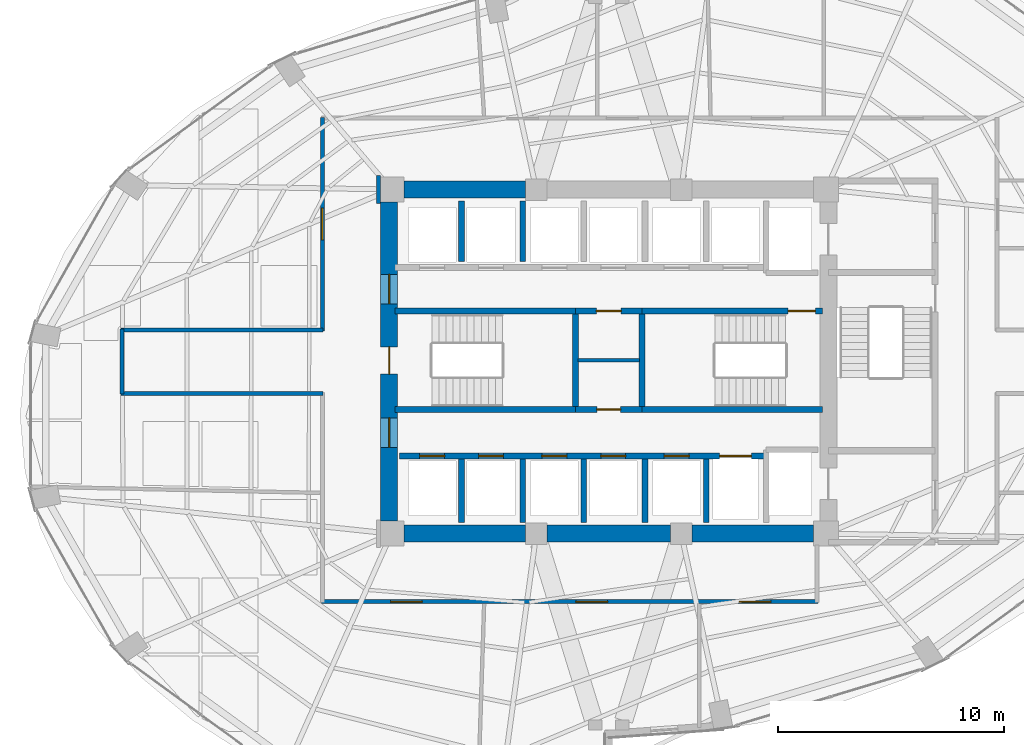
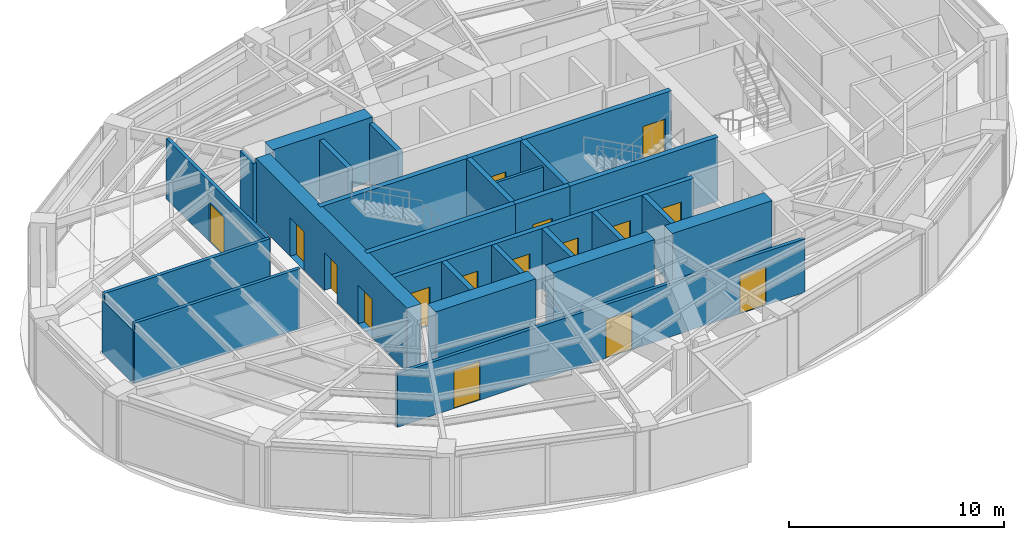
# One storey, part 19 of 23: 28 walls, 16 doors, 16 openings.
"""IFC4 building model written with IfcOpenShell, lengths in metres."""

from ifc_helpers import new_model, si_unit, direction, frame, frame_2d, origin, place, context, subcontext, project, spatial, rectangle, extrude, material, layer, layer_set, type_object, element, fill, save


model = new_model("IFC4")

# Units and contexts
model_context = context("Model", 3, precision=1e-05, world=origin(), true_north=direction((0.0, 1.0)))
body_context = subcontext(model_context, "Body", "Model", "MODEL_VIEW")
ifc_project = project(units=[si_unit("LENGTHUNIT", "METRE"), si_unit("AREAUNIT", "SQUARE_METRE"), si_unit("VOLUMEUNIT", "CUBIC_METRE"), si_unit("PLANEANGLEUNIT", "RADIAN"), si_unit("MASSUNIT", "GRAM", prefix="KILO")], contexts=[model_context])

# Site, building, storey
site_placement = place(None, origin())
site = spatial("IfcSite", under=ifc_project, at=site_placement, CompositionType="ELEMENT")
building_placement = place(site_placement, origin())
building = spatial("IfcBuilding", under=site, at=building_placement, Name="Lazwardi Medical Tower", CompositionType="ELEMENT")
storey_placement = place(building_placement, frame((0.0, 0.0, 107.280029296875)))
storey = spatial("IfcBuildingStorey", under=building, at=storey_placement, Name="L27", CompositionType="ELEMENT", Elevation=107.280029296875)

# Walls
ifc_material_1 = material(Name="Fire-rated gypsum board on steel stud", Category="steel")
ifc_layer_1 = layer(ifc_material_1, 0.179931640625)
ifc_layer_set_1 = layer_set([ifc_layer_1], Name="Fire-rated gypsum board on steel stud")
wall_type_1 = type_object("IfcWallType", Name="WL-COR-180", PredefinedType="PARTITIONING", material=ifc_layer_set_1)
wall_1_placement = place(storey_placement, frame((14.5, 26.56005859375, 0.0), z_axis=(0.0, 0.0, 1.0), x_axis=(0.0, 1.0, 0.0)))
element("IfcWall", 1, at=wall_1_placement, inside=storey, type_object=wall_type_1, Name="L27 Corridor partition 1", PredefinedType="PARTITIONING", context=body_context, shape_type="SweptSolid", body=[
    extrude(rectangle(XDim=2.8798828125, YDim=0.179931640625, at=frame_2d((1.43994140625, 0.0))), origin(), (0.0, 0.0, 1.0), 3.012939453125),
])
wall_2_placement = place(storey_placement, frame((14.4599609375, 29.39990234375, 0.0), z_axis=(0.0, 0.0, 1.0), x_axis=(1.0, 0.0, 0.0)))
element("IfcWall", 2, at=wall_2_placement, inside=storey, type_object=wall_type_1, Name="L27 Corridor partition 2", PredefinedType="PARTITIONING", context=body_context, shape_type="SweptSolid", body=[
    extrude(rectangle(XDim=8.929931640625, YDim=0.179931640625, at=frame_2d((4.46484375, 0.0))), origin(), (0.0, 0.0, 1.0), 3.427978515625),
])

# Wall, opening, door
wall_3_placement = place(storey_placement, frame((23.35009765625, 29.360107421875, 0.0), z_axis=(0.0, 0.0, 1.0), x_axis=(0.0, 1.0, 0.0)))
wall_3 = element("IfcWall", 3, at=wall_3_placement, inside=storey, type_object=wall_type_1, Name="L27 Corridor partition 3", PredefinedType="PARTITIONING", context=body_context, shape_type="SweptSolid", body=[
    extrude(rectangle(XDim=9.429931640625, YDim=0.179931640625, at=frame_2d((4.71484375, 0.0))), origin(), (0.0, 0.0, 1.0), 3.427978515625),
])
opening_1_placement = place(wall_3_placement, frame((4.014892578125, 0.0, 0.0)))
opening_1 = element("IfcOpeningElement", 4, at=opening_1_placement, cuts=wall_3, Name="Opening D-L27-016", PredefinedType="OPENING", context=body_context, shape_type="SweptSolid", body=[
    extrude(rectangle(XDim=1.39990234375, YDim=2.199951171875, at=frame_2d((0.699951171875, 1.10009765625))), frame((0.0, 0.099853515625, 0.0), z_axis=(0.0, -1.0, 0.0), x_axis=(1.0, 0.0, 0.0)), (0.0, 0.0, 1.0), 0.199951171875),
])
ifc_material_2 = material(Name="Anti-microbial laminate hospital leaf")
door_type_1 = type_object("IfcDoorType", Name="DR-BED-1400", OperationType="NOTDEFINED", PredefinedType="DOOR", material=ifc_material_2)
door_1_placement = place(opening_1_placement, origin())
door_1 = element("IfcDoor", 5, at=door_1_placement, inside=storey, type_object=door_type_1, Name="L27 Patient Day Lounge Door 10", OperationType="SINGLE_SWING_LEFT", OverallHeight=2.199951171875, OverallWidth=1.39990234375, PredefinedType="DOOR", context=body_context, shape_type="SweptSolid", body=[
    extrude(rectangle(XDim=1.39990234375, YDim=2.199951171875, at=frame_2d((0.699951171875, 1.10009765625))), frame((0.0, 0.02490234375, 0.0), z_axis=(0.0, -1.0, 0.0), x_axis=(1.0, 0.0, 0.0)), (0.0, 0.0, 1.0), 0.050048828125),
])
fill(opening_1, door_1)

# Wall
wall_4_placement = place(storey_placement, frame((25.830078125, 36.2099609375, 0.0), z_axis=(0.0, 0.0, 1.0), x_axis=(0.0, -1.0, 0.0)))
element("IfcWall", 6, at=wall_4_placement, inside=storey, type_object=wall_type_1, Name="L27 Corridor partition 11", PredefinedType="PARTITIONING", context=body_context, shape_type="SweptSolid", body=[
    extrude(rectangle(XDim=1.219970703125, YDim=0.179931640625, at=frame_2d((0.60986328125, 0.0))), origin(), (0.0, 0.0, 1.0), 3.427978515625),
])

# Wall, openings, doors
wall_5_placement = place(storey_placement, frame((45.239990234375, 17.39990234375, 0.0), z_axis=(0.0, 0.0, 1.0), x_axis=(-1.0, 0.0, 0.0)))
wall_5 = element("IfcWall", 7, at=wall_5_placement, inside=storey, type_object=wall_type_1, Name="L27 Corridor partition 14", PredefinedType="PARTITIONING", context=body_context, shape_type="SweptSolid", body=[
    extrude(rectangle(XDim=21.929931640625, YDim=0.179931640625, at=frame_2d((10.96484375, 0.0))), origin(), (0.0, 0.0, 1.0), 3.052978515625),
])
opening_2_placement = place(wall_5_placement, frame((17.477294921875, 0.0, 0.0)))
opening_2 = element("IfcOpeningElement", 8, at=opening_2_placement, cuts=wall_5, Name="Opening D-L27-007", PredefinedType="OPENING", context=body_context, shape_type="SweptSolid", body=[
    extrude(rectangle(XDim=1.39990234375, YDim=2.199951171875, at=frame_2d((0.699951171875, 1.10009765625))), frame((0.0, 0.099853515625, 0.0), z_axis=(0.0, -1.0, 0.0), x_axis=(1.0, 0.0, 0.0)), (0.0, 0.0, 1.0), 0.199951171875),
])
opening_3_placement = place(wall_5_placement, frame((9.291259765625, 0.0, 0.0)))
opening_3 = element("IfcOpeningElement", 9, at=opening_3_placement, cuts=wall_5, Name="Opening D-L27-008", PredefinedType="OPENING", context=body_context, shape_type="SweptSolid", body=[
    extrude(rectangle(XDim=1.39990234375, YDim=2.199951171875, at=frame_2d((0.699951171875, 1.10009765625))), frame((0.0, 0.099853515625, 0.0), z_axis=(0.0, -1.0, 0.0), x_axis=(1.0, 0.0, 0.0)), (0.0, 0.0, 1.0), 0.199951171875),
])
opening_4_placement = place(wall_5_placement, frame((2.0791015625, 0.0, 0.0)))
opening_4 = element("IfcOpeningElement", 10, at=opening_4_placement, cuts=wall_5, Name="Opening D-L27-009", PredefinedType="OPENING", context=body_context, shape_type="SweptSolid", body=[
    extrude(rectangle(XDim=1.39990234375, YDim=2.199951171875, at=frame_2d((0.699951171875, 1.10009765625))), frame((0.0, 0.099853515625, 0.0), z_axis=(0.0, -1.0, 0.0), x_axis=(1.0, 0.0, 0.0)), (0.0, 0.0, 1.0), 0.199951171875),
])
door_2_placement = place(opening_2_placement, origin())
door_2 = element("IfcDoor", 11, at=door_2_placement, inside=storey, type_object=door_type_1, Name="L27 Patient Day Lounge Door 01", OperationType="SINGLE_SWING_RIGHT", OverallHeight=2.199951171875, OverallWidth=1.39990234375, PredefinedType="DOOR", context=body_context, shape_type="SweptSolid", body=[
    extrude(rectangle(XDim=1.39990234375, YDim=2.199951171875, at=frame_2d((0.699951171875, 1.10009765625))), frame((0.0, 0.02490234375, 0.0), z_axis=(0.0, -1.0, 0.0), x_axis=(1.0, 0.0, 0.0)), (0.0, 0.0, 1.0), 0.050048828125),
])
fill(opening_2, door_2)
door_3_placement = place(opening_3_placement, origin())
door_3 = element("IfcDoor", 12, at=door_3_placement, inside=storey, type_object=door_type_1, Name="L27 Rehabilitation Gymnasium Door 02", OperationType="SINGLE_SWING_LEFT", OverallHeight=2.199951171875, OverallWidth=1.39990234375, PredefinedType="DOOR", context=body_context, shape_type="SweptSolid", body=[
    extrude(rectangle(XDim=1.39990234375, YDim=2.199951171875, at=frame_2d((0.699951171875, 1.10009765625))), frame((0.0, 0.02490234375, 0.0), z_axis=(0.0, -1.0, 0.0), x_axis=(1.0, 0.0, 0.0)), (0.0, 0.0, 1.0), 0.050048828125),
])
fill(opening_3, door_3)
door_4_placement = place(opening_4_placement, origin())
door_4 = element("IfcDoor", 13, at=door_4_placement, inside=storey, type_object=door_type_1, Name="L27 Department Reception Foyer Door 03", OperationType="SINGLE_SWING_RIGHT", OverallHeight=2.199951171875, OverallWidth=1.39990234375, PredefinedType="DOOR", context=body_context, shape_type="SweptSolid", body=[
    extrude(rectangle(XDim=1.39990234375, YDim=2.199951171875, at=frame_2d((0.699951171875, 1.10009765625))), frame((0.0, 0.02490234375, 0.0), z_axis=(0.0, -1.0, 0.0), x_axis=(1.0, 0.0, 0.0)), (0.0, 0.0, 1.0), 0.050048828125),
])
fill(opening_4, door_4)

# Wall
wall_6_placement = place(storey_placement, frame((23.389892578125, 26.60009765625, 0.0), z_axis=(0.0, 0.0, 1.0), x_axis=(-1.0, 0.0, 0.0)))
element("IfcWall", 14, at=wall_6_placement, inside=storey, type_object=wall_type_1, Name="L27 Corridor partition 16", PredefinedType="PARTITIONING", context=body_context, shape_type="SweptSolid", body=[
    extrude(rectangle(XDim=8.929931640625, YDim=0.179931640625, at=frame_2d((4.46484375, 0.0))), origin(), (0.0, 0.0, 1.0), 3.427978515625),
])

# Wall, openings, doors
ifc_material_3 = material(Name="Concrete C70/85", Category="concrete")
ifc_layer_2 = layer(ifc_material_3, 0.75)
ifc_layer_set_2 = layer_set([ifc_layer_2], Name="Concrete C70/85")
wall_type_2 = type_object("IfcWallType", Name="WL-CORE-750", PredefinedType="SHEAR", material=ifc_layer_set_2)
wall_7_placement = place(storey_placement, frame((26.300048828125, 20.949951171875, 0.0), z_axis=(0.0, 0.0, 1.0), x_axis=(0.0, 1.0, 0.0)))
wall_7 = element("IfcWall", 15, at=wall_7_placement, inside=storey, type_object=wall_type_2, Name="Core wall CW-S2 west L27", PredefinedType="SHEAR", context=body_context, shape_type="SweptSolid", body=[
    extrude(rectangle(XDim=14.10009765625, YDim=0.75, at=frame_2d((7.050048828125, 0.0))), origin(), (0.0, 0.0, 1.0), 3.64794921875),
])
opening_5_placement = place(wall_7_placement, frame((6.5, 0.0, 0.0)))
opening_5 = element("IfcOpeningElement", 16, at=opening_5_placement, cuts=wall_7, Name="Opening D-L27-017", PredefinedType="OPENING", context=body_context, shape_type="SweptSolid", body=[
    extrude(rectangle(XDim=1.199951171875, YDim=2.14990234375, at=frame_2d((0.60009765625, 1.074951171875))), frame((0.0, 0.385009765625, 0.0), z_axis=(0.0, -1.0, 0.0), x_axis=(1.0, 0.0, 0.0)), (0.0, 0.0, 1.0), 0.77001953125),
])
opening_6_placement = place(wall_7_placement, frame((9.60009765625, 0.0, 0.0)))
opening_6 = element("IfcOpeningElement", 17, at=opening_6_placement, cuts=wall_7, Name="Opening D-L27-005", PredefinedType="OPENING", context=body_context, shape_type="SweptSolid", body=[
    extrude(rectangle(XDim=1.300048828125, YDim=2.199951171875, at=frame_2d((0.64990234375, 1.10009765625))), frame((0.0, 0.385009765625, 0.0), z_axis=(0.0, -1.0, 0.0), x_axis=(1.0, 0.0, 0.0)), (0.0, 0.0, 1.0), 0.77001953125),
])
opening_7_placement = place(wall_7_placement, frame((3.260009765625, 0.0, 0.0)))
opening_7 = element("IfcOpeningElement", 18, at=opening_7_placement, cuts=wall_7, Name="Opening D-L27-006", PredefinedType="OPENING", context=body_context, shape_type="SweptSolid", body=[
    extrude(rectangle(XDim=1.300048828125, YDim=2.199951171875, at=frame_2d((0.64990234375, 1.10009765625))), frame((0.0, 0.385009765625, 0.0), z_axis=(0.0, -1.0, 0.0), x_axis=(1.0, 0.0, 0.0)), (0.0, 0.0, 1.0), 0.77001953125),
])
ifc_material_4 = material(Name="Fire-rated steel leaf and frame", Category="steel")
door_type_2 = type_object("IfcDoorType", Name="DR-FFL-1300", OperationType="NOTDEFINED", PredefinedType="DOOR", material=ifc_material_4)
door_5_placement = place(opening_6_placement, origin())
door_5 = element("IfcDoor", 19, at=door_5_placement, inside=storey, type_object=door_type_2, Name="L27 North Lift Lobby Door", OperationType="SINGLE_SWING_LEFT", OverallHeight=2.199951171875, OverallWidth=1.300048828125, PredefinedType="DOOR", context=body_context, shape_type="SweptSolid", body=[
    extrude(rectangle(XDim=1.300048828125, YDim=2.199951171875, at=frame_2d((0.64990234375, 1.10009765625))), frame((0.0, 0.02490234375, 0.0), z_axis=(0.0, -1.0, 0.0), x_axis=(1.0, 0.0, 0.0)), (0.0, 0.0, 1.0), 0.050048828125),
])
fill(opening_6, door_5)
door_6_placement = place(opening_7_placement, origin())
door_6 = element("IfcDoor", 20, at=door_6_placement, inside=storey, type_object=door_type_2, Name="L27 South Lift Lobby Door", OperationType="SINGLE_SWING_RIGHT", OverallHeight=2.199951171875, OverallWidth=1.300048828125, PredefinedType="DOOR", context=body_context, shape_type="SweptSolid", body=[
    extrude(rectangle(XDim=1.300048828125, YDim=2.199951171875, at=frame_2d((0.64990234375, 1.10009765625))), frame((0.0, 0.02490234375, 0.0), z_axis=(0.0, -1.0, 0.0), x_axis=(1.0, 0.0, 0.0)), (0.0, 0.0, 1.0), 0.050048828125),
])
fill(opening_7, door_6)
door_type_3 = type_object("IfcDoorType", Name="DR-STR-1200", OperationType="NOTDEFINED", PredefinedType="DOOR", material=ifc_material_4)
door_7_placement = place(opening_5_placement, origin())
door_7 = element("IfcDoor", 21, at=door_7_placement, inside=storey, type_object=door_type_3, Name="L27 Exit Stair ST1 Door", OperationType="SINGLE_SWING_LEFT", OverallHeight=2.14990234375, OverallWidth=1.199951171875, PredefinedType="DOOR", context=body_context, shape_type="SweptSolid", body=[
    extrude(rectangle(XDim=1.199951171875, YDim=2.14990234375, at=frame_2d((0.60009765625, 1.074951171875))), frame((0.0, 0.02490234375, 0.0), z_axis=(0.0, -1.0, 0.0), x_axis=(1.0, 0.0, 0.0)), (0.0, 0.0, 1.0), 0.050048828125),
])
fill(opening_5, door_7)

# Walls
for number, where, z_axis, x_axis, name in (
    (22, (26.949951171875, 20.39990234375, 0.0), (0.0, 0.0, 1.0), (1.0, 0.0, 0.0), "Core wall CW-S2 S1 L27"),
    (23, (26.949951171875, 35.60009765625, 0.0), (0.0, 0.0, 1.0), (1.0, 0.0, 0.0), "Core wall CW-S2 N1 L27"),
):
    element("IfcWall", number, at=place(storey_placement, frame(where, z_axis=z_axis, x_axis=x_axis)), inside=storey, type_object=wall_type_2, Name=name, PredefinedType="SHEAR", context=body_context, shape_type="SweptSolid", body=[
        extrude(rectangle(XDim=5.375, YDim=0.75, at=frame_2d((2.6875, 0.0))), origin(), (0.0, 0.0, 1.0), 3.64794921875),
    ])
wall_8_placement = place(storey_placement, frame((33.27490234375, 20.39990234375, 0.0), z_axis=(0.0, 0.0, 1.0), x_axis=(1.0, 0.0, 0.0)))
element("IfcWall", 24, at=wall_8_placement, inside=storey, type_object=wall_type_2, Name="Core wall CW-S2 S2 L27", PredefinedType="SHEAR", context=body_context, shape_type="SweptSolid", body=[
    extrude(rectangle(XDim=5.4501953125, YDim=0.75, at=frame_2d((2.72509765625, 0.0))), origin(), (0.0, 0.0, 1.0), 3.64794921875),
])
wall_9_placement = place(storey_placement, frame((39.675048828125, 20.39990234375, 0.0), z_axis=(0.0, 0.0, 1.0), x_axis=(1.0, 0.0, 0.0)))
element("IfcWall", 25, at=wall_9_placement, inside=storey, type_object=wall_type_2, Name="Core wall CW-S2 S3 L27", PredefinedType="SHEAR", context=body_context, shape_type="SweptSolid", body=[
    extrude(rectangle(XDim=5.375, YDim=0.75, at=frame_2d((2.6875, 0.0))), origin(), (0.0, 0.0, 1.0), 3.64794921875),
])

# Wall, openings, doors
ifc_material_5 = material(Name="Autoclaved aerated concrete blockwork", Category="masonry")
ifc_layer_3 = layer(ifc_material_5, 0.25)
ifc_layer_set_3 = layer_set([ifc_layer_3], Name="Autoclaved aerated concrete blockwork")
wall_type_3 = type_object("IfcWallType", Name="WL-SHAFT-250", PredefinedType="SOLIDWALL", material=ifc_layer_set_3)
wall_10_placement = place(storey_placement, frame((26.75, 23.830078125, 0.0), z_axis=(0.0, 0.0, 1.0), x_axis=(1.0, 0.0, 0.0)))
wall_10 = element("IfcWall", 26, at=wall_10_placement, inside=storey, type_object=wall_type_3, Name="L27 South lift bank front wall", PredefinedType="SOLIDWALL", context=body_context, shape_type="SweptSolid", body=[
    extrude(rectangle(XDim=16.199951171875, YDim=0.25, at=frame_2d((8.10009765625, 0.0))), origin(), (0.0, 0.0, 1.0), 3.427978515625),
])
opening_8_placement = place(wall_10_placement, frame((0.89990234375, 0.0, 0.0)))
opening_8 = element("IfcOpeningElement", 27, at=opening_8_placement, cuts=wall_10, Name="Opening LD-L27-006", PredefinedType="OPENING", context=body_context, shape_type="SweptSolid", body=[
    extrude(rectangle(XDim=1.10009765625, YDim=2.199951171875, at=frame_2d((0.550048828125, 1.10009765625))), frame((0.0, 0.135009765625, 0.0), z_axis=(0.0, -1.0, 0.0), x_axis=(1.0, 0.0, 0.0)), (0.0, 0.0, 1.0), 0.27001953125),
])
opening_9_placement = place(wall_10_placement, frame((3.5, 0.0, 0.0)))
opening_9 = element("IfcOpeningElement", 28, at=opening_9_placement, cuts=wall_10, Name="Opening LD-L27-007", PredefinedType="OPENING", context=body_context, shape_type="SweptSolid", body=[
    extrude(rectangle(XDim=1.10009765625, YDim=2.199951171875, at=frame_2d((0.550048828125, 1.10009765625))), frame((0.0, 0.135009765625, 0.0), z_axis=(0.0, -1.0, 0.0), x_axis=(1.0, 0.0, 0.0)), (0.0, 0.0, 1.0), 0.27001953125),
])
opening_10_placement = place(wall_10_placement, frame((6.300048828125, 0.0, 0.0)))
opening_10 = element("IfcOpeningElement", 29, at=opening_10_placement, cuts=wall_10, Name="Opening LD-L27-010", PredefinedType="OPENING", context=body_context, shape_type="SweptSolid", body=[
    extrude(rectangle(XDim=1.10009765625, YDim=2.199951171875, at=frame_2d((0.550048828125, 1.10009765625))), frame((0.0, 0.135009765625, 0.0), z_axis=(0.0, -1.0, 0.0), x_axis=(1.0, 0.0, 0.0)), (0.0, 0.0, 1.0), 0.27001953125),
])
opening_11_placement = place(wall_10_placement, frame((8.89990234375, 0.0, 0.0)))
opening_11 = element("IfcOpeningElement", 30, at=opening_11_placement, cuts=wall_10, Name="Opening LD-L27-011", PredefinedType="OPENING", context=body_context, shape_type="SweptSolid", body=[
    extrude(rectangle(XDim=1.10009765625, YDim=2.199951171875, at=frame_2d((0.550048828125, 1.10009765625))), frame((0.0, 0.135009765625, 0.0), z_axis=(0.0, -1.0, 0.0), x_axis=(1.0, 0.0, 0.0)), (0.0, 0.0, 1.0), 0.27001953125),
])
opening_12_placement = place(wall_10_placement, frame((11.699951171875, 0.0, 0.0)))
opening_12 = element("IfcOpeningElement", 31, at=opening_12_placement, cuts=wall_10, Name="Opening LD-L27-014", PredefinedType="OPENING", context=body_context, shape_type="SweptSolid", body=[
    extrude(rectangle(XDim=1.10009765625, YDim=2.199951171875, at=frame_2d((0.550048828125, 1.10009765625))), frame((0.0, 0.135009765625, 0.0), z_axis=(0.0, -1.0, 0.0), x_axis=(1.0, 0.0, 0.0)), (0.0, 0.0, 1.0), 0.27001953125),
])
opening_13_placement = place(wall_10_placement, frame((14.14990234375, 0.0, 0.0)))
opening_13 = element("IfcOpeningElement", 32, at=opening_13_placement, cuts=wall_10, Name="Opening LD-L27-003", PredefinedType="OPENING", context=body_context, shape_type="SweptSolid", body=[
    extrude(rectangle(XDim=1.39990234375, YDim=2.300048828125, at=frame_2d((0.699951171875, 1.14990234375))), frame((0.0, 0.135009765625, 0.0), z_axis=(0.0, -1.0, 0.0), x_axis=(1.0, 0.0, 0.0)), (0.0, 0.0, 1.0), 0.27001953125),
])
ifc_material_6 = material(Name="Brushed bronze stainless steel landing door", Category="steel")
door_type_4 = type_object("IfcDoorType", Name="DR-LFT-1100", OperationType="NOTDEFINED", PredefinedType="DOOR", material=ifc_material_6)
door_8_placement = place(opening_8_placement, origin())
door_8 = element("IfcDoor", 33, at=door_8_placement, inside=storey, type_object=door_type_4, Name="L27 Lift Landing Door PL-03", OperationType="SLIDING_TO_LEFT", OverallHeight=2.199951171875, OverallWidth=1.10009765625, PredefinedType="DOOR", context=body_context, shape_type="SweptSolid", body=[
    extrude(rectangle(XDim=1.10009765625, YDim=2.199951171875, at=frame_2d((0.550048828125, 1.10009765625))), frame((0.0, 0.02490234375, 0.0), z_axis=(0.0, -1.0, 0.0), x_axis=(1.0, 0.0, 0.0)), (0.0, 0.0, 1.0), 0.050048828125),
])
fill(opening_8, door_8)
door_9_placement = place(opening_9_placement, origin())
door_9 = element("IfcDoor", 34, at=door_9_placement, inside=storey, type_object=door_type_4, Name="L27 Lift Landing Door PL-04", OperationType="SLIDING_TO_LEFT", OverallHeight=2.199951171875, OverallWidth=1.10009765625, PredefinedType="DOOR", context=body_context, shape_type="SweptSolid", body=[
    extrude(rectangle(XDim=1.10009765625, YDim=2.199951171875, at=frame_2d((0.550048828125, 1.10009765625))), frame((0.0, 0.02490234375, 0.0), z_axis=(0.0, -1.0, 0.0), x_axis=(1.0, 0.0, 0.0)), (0.0, 0.0, 1.0), 0.050048828125),
])
fill(opening_9, door_9)
door_10_placement = place(opening_10_placement, origin())
door_10 = element("IfcDoor", 35, at=door_10_placement, inside=storey, type_object=door_type_4, Name="L27 Lift Landing Door PL-07", OperationType="SLIDING_TO_LEFT", OverallHeight=2.199951171875, OverallWidth=1.10009765625, PredefinedType="DOOR", context=body_context, shape_type="SweptSolid", body=[
    extrude(rectangle(XDim=1.10009765625, YDim=2.199951171875, at=frame_2d((0.550048828125, 1.10009765625))), frame((0.0, 0.02490234375, 0.0), z_axis=(0.0, -1.0, 0.0), x_axis=(1.0, 0.0, 0.0)), (0.0, 0.0, 1.0), 0.050048828125),
])
fill(opening_10, door_10)
door_11_placement = place(opening_11_placement, origin())
door_11 = element("IfcDoor", 36, at=door_11_placement, inside=storey, type_object=door_type_4, Name="L27 Lift Landing Door PL-08", OperationType="SLIDING_TO_LEFT", OverallHeight=2.199951171875, OverallWidth=1.10009765625, PredefinedType="DOOR", context=body_context, shape_type="SweptSolid", body=[
    extrude(rectangle(XDim=1.10009765625, YDim=2.199951171875, at=frame_2d((0.550048828125, 1.10009765625))), frame((0.0, 0.02490234375, 0.0), z_axis=(0.0, -1.0, 0.0), x_axis=(1.0, 0.0, 0.0)), (0.0, 0.0, 1.0), 0.050048828125),
])
fill(opening_11, door_11)
door_12_placement = place(opening_12_placement, origin())
door_12 = element("IfcDoor", 37, at=door_12_placement, inside=storey, type_object=door_type_4, Name="L27 Lift Landing Door PL-11", OperationType="SLIDING_TO_LEFT", OverallHeight=2.199951171875, OverallWidth=1.10009765625, PredefinedType="DOOR", context=body_context, shape_type="SweptSolid", body=[
    extrude(rectangle(XDim=1.10009765625, YDim=2.199951171875, at=frame_2d((0.550048828125, 1.10009765625))), frame((0.0, 0.02490234375, 0.0), z_axis=(0.0, -1.0, 0.0), x_axis=(1.0, 0.0, 0.0)), (0.0, 0.0, 1.0), 0.050048828125),
])
fill(opening_12, door_12)
ifc_material_7 = material(Name="Brushed stainless steel bed-lift landing door", Category="steel")
door_type_5 = type_object("IfcDoorType", Name="DR-LFT-1400", OperationType="NOTDEFINED", PredefinedType="DOOR", material=ifc_material_7)
door_13_placement = place(opening_13_placement, origin())
door_13 = element("IfcDoor", 38, at=door_13_placement, inside=storey, type_object=door_type_5, Name="L27 Lift Landing Door FL-03", OperationType="SLIDING_TO_LEFT", OverallHeight=2.300048828125, OverallWidth=1.39990234375, PredefinedType="DOOR", context=body_context, shape_type="SweptSolid", body=[
    extrude(rectangle(XDim=1.39990234375, YDim=2.300048828125, at=frame_2d((0.699951171875, 1.14990234375))), frame((0.0, 0.02490234375, 0.0), z_axis=(0.0, -1.0, 0.0), x_axis=(1.0, 0.0, 0.0)), (0.0, 0.0, 1.0), 0.050048828125),
])
fill(opening_13, door_13)

# Walls
wall_11_placement = place(storey_placement, frame((29.5, 32.419921875, 0.0), z_axis=(0.0, 0.0, 1.0), x_axis=(0.0, 1.0, 0.0)))
element("IfcWall", 39, at=wall_11_placement, inside=storey, type_object=wall_type_3, Name="L27 North hoistway divider", PredefinedType="SOLIDWALL", context=body_context, shape_type="SweptSolid", body=[
    extrude(rectangle(XDim=2.68017578125, YDim=0.25, at=frame_2d((1.340087890625, 0.0))), origin(), (0.0, 0.0, 1.0), 3.427978515625),
])
wall_12_placement = place(storey_placement, frame((29.5, 20.89990234375, 0.0), z_axis=(0.0, 0.0, 1.0), x_axis=(0.0, 1.0, 0.0)))
element("IfcWall", 40, at=wall_12_placement, inside=storey, type_object=wall_type_3, Name="L27 South hoistway divider", PredefinedType="SOLIDWALL", context=body_context, shape_type="SweptSolid", body=[
    extrude(rectangle(XDim=2.800048828125, YDim=0.25, at=frame_2d((1.39990234375, 0.0))), origin(), (0.0, 0.0, 1.0), 3.427978515625),
])
wall_13_placement = place(storey_placement, frame((32.199951171875, 32.419921875, 0.0), z_axis=(0.0, 0.0, 1.0), x_axis=(0.0, 1.0, 0.0)))
element("IfcWall", 41, at=wall_13_placement, inside=storey, type_object=wall_type_3, Name="L27 North hoistway divider", PredefinedType="SOLIDWALL", context=body_context, shape_type="SweptSolid", body=[
    extrude(rectangle(XDim=2.68017578125, YDim=0.25, at=frame_2d((1.340087890625, 0.0))), origin(), (0.0, 0.0, 1.0), 3.427978515625),
])
for number, where, z_axis, x_axis, name in (
    (42, (32.199951171875, 20.89990234375, 0.0), (0.0, 0.0, 1.0), (0.0, 1.0, 0.0), "L27 South hoistway divider"),
    (43, (34.89990234375, 20.89990234375, 0.0), (0.0, 0.0, 1.0), (0.0, 1.0, 0.0), "L27 South hoistway divider"),
    (44, (37.60009765625, 20.89990234375, 0.0), (0.0, 0.0, 1.0), (0.0, 1.0, 0.0), "L27 South hoistway divider"),
    (45, (40.300048828125, 20.89990234375, 0.0), (0.0, 0.0, 1.0), (0.0, 1.0, 0.0), "L27 South hoistway divider"),
):
    element("IfcWall", number, at=place(storey_placement, frame(where, z_axis=z_axis, x_axis=x_axis)), inside=storey, type_object=wall_type_3, Name=name, PredefinedType="SOLIDWALL", context=body_context, shape_type="SweptSolid", body=[
        extrude(rectangle(XDim=2.800048828125, YDim=0.25, at=frame_2d((1.39990234375, 0.0))), origin(), (0.0, 0.0, 1.0), 3.427978515625),
    ])
ifc_material_8 = material(Name="Concrete C50/60", Category="concrete")
ifc_layer_4 = layer(ifc_material_8, 0.27001953125)
ifc_layer_set_4 = layer_set([ifc_layer_4], Name="Concrete C50/60")
wall_type_4 = type_object("IfcWallType", Name="WL-STR-250", PredefinedType="SHEAR", material=ifc_layer_set_4)
wall_14_placement = place(storey_placement, frame((26.550048828125, 30.235107421875, 0.0), z_axis=(0.0, 0.0, 1.0), x_axis=(1.0, 0.0, 0.0)))
element("IfcWall", 46, at=wall_14_placement, inside=storey, type_object=wall_type_4, Name="L27 ST1 North shear shaft wall SW-S1", PredefinedType="SHEAR", context=body_context, shape_type="SweptSolid", body=[
    extrude(rectangle(XDim=7.98486328125, YDim=0.27001953125, at=frame_2d((3.992431640625, 0.0))), origin(), (0.0, 0.0, 1.0), 3.64794921875),
])

# Wall, opening, door
wall_15_placement = place(storey_placement, frame((34.534912109375, 30.235107421875, 0.0), z_axis=(0.0, 0.0, 1.0), x_axis=(1.0, 0.0, 0.0)))
wall_15 = element("IfcWall", 47, at=wall_15_placement, inside=storey, type_object=wall_type_4, Name="L27 Core service North shear wall SW-S1", PredefinedType="SHEAR", context=body_context, shape_type="SweptSolid", body=[
    extrude(rectangle(XDim=2.93017578125, YDim=0.27001953125, at=frame_2d((1.465087890625, 0.0))), origin(), (0.0, 0.0, 1.0), 3.64794921875),
])
opening_14_placement = place(wall_15_placement, frame((0.9150390625, 0.0, 0.0)))
opening_14 = element("IfcOpeningElement", 48, at=opening_14_placement, cuts=wall_15, Name="Opening D-L27-002", PredefinedType="OPENING", context=body_context, shape_type="SweptSolid", body=[
    extrude(rectangle(XDim=1.10009765625, YDim=2.14990234375, at=frame_2d((0.550048828125, 1.074951171875))), frame((0.0, 0.14501953125, 0.0), z_axis=(0.0, -1.0, 0.0), x_axis=(1.0, 0.0, 0.0)), (0.0, 0.0, 1.0), 0.2900390625),
])
door_type_6 = type_object("IfcDoorType", Name="DR-PLT-1100", OperationType="NOTDEFINED", PredefinedType="DOOR", material=ifc_material_4)
door_14_placement = place(opening_14_placement, origin())
door_14 = element("IfcDoor", 49, at=door_14_placement, inside=storey, type_object=door_type_6, Name="L27 Electrical Room Door", OperationType="SINGLE_SWING_RIGHT", OverallHeight=2.14990234375, OverallWidth=1.10009765625, PredefinedType="DOOR", context=body_context, shape_type="SweptSolid", body=[
    extrude(rectangle(XDim=1.10009765625, YDim=2.14990234375, at=frame_2d((0.550048828125, 1.074951171875))), frame((0.0, 0.02490234375, 0.0), z_axis=(0.0, -1.0, 0.0), x_axis=(1.0, 0.0, 0.0)), (0.0, 0.0, 1.0), 0.050048828125),
])
fill(opening_14, door_14)

wall_16_placement = place(storey_placement, frame((37.465087890625, 30.235107421875, 0.0), z_axis=(0.0, 0.0, 1.0), x_axis=(1.0, 0.0, 0.0)))
wall_16 = element("IfcWall", 50, at=wall_16_placement, inside=storey, type_object=wall_type_4, Name="L27 ST2 North shear shaft wall SW-S1", PredefinedType="SHEAR", context=body_context, shape_type="SweptSolid", body=[
    extrude(rectangle(XDim=7.98486328125, YDim=0.27001953125, at=frame_2d((3.992431640625, 0.0))), origin(), (0.0, 0.0, 1.0), 3.64794921875),
])
opening_15_placement = place(wall_16_placement, frame((6.455078125, 0.0, 0.0)))
opening_15 = element("IfcOpeningElement", 51, at=opening_15_placement, cuts=wall_16, Name="Opening D-L27-018", PredefinedType="OPENING", context=body_context, shape_type="SweptSolid", body=[
    extrude(rectangle(XDim=1.199951171875, YDim=2.14990234375, at=frame_2d((0.60009765625, 1.074951171875))), frame((0.0, 0.14501953125, 0.0), z_axis=(0.0, -1.0, 0.0), x_axis=(1.0, 0.0, 0.0)), (0.0, 0.0, 1.0), 0.2900390625),
])
door_15_placement = place(opening_15_placement, origin())
door_15 = element("IfcDoor", 52, at=door_15_placement, inside=storey, type_object=door_type_3, Name="L27 Exit Stair ST2 Door", OperationType="SINGLE_SWING_RIGHT", OverallHeight=2.14990234375, OverallWidth=1.199951171875, PredefinedType="DOOR", context=body_context, shape_type="SweptSolid", body=[
    extrude(rectangle(XDim=1.199951171875, YDim=2.14990234375, at=frame_2d((0.60009765625, 1.074951171875))), frame((0.0, 0.02490234375, 0.0), z_axis=(0.0, -1.0, 0.0), x_axis=(1.0, 0.0, 0.0)), (0.0, 0.0, 1.0), 0.050048828125),
])
fill(opening_15, door_15)

# Wall
wall_17_placement = place(storey_placement, frame((26.550048828125, 25.885009765625, 0.0), z_axis=(0.0, 0.0, 1.0), x_axis=(1.0, 0.0, 0.0)))
element("IfcWall", 53, at=wall_17_placement, inside=storey, type_object=wall_type_4, Name="L27 ST1 South shear shaft wall SW-S1", PredefinedType="SHEAR", context=body_context, shape_type="SweptSolid", body=[
    extrude(rectangle(XDim=7.98486328125, YDim=0.27001953125, at=frame_2d((3.992431640625, 0.0))), origin(), (0.0, 0.0, 1.0), 3.64794921875),
])

# Wall, opening, door
wall_18_placement = place(storey_placement, frame((34.534912109375, 25.885009765625, 0.0), z_axis=(0.0, 0.0, 1.0), x_axis=(1.0, 0.0, 0.0)))
wall_18 = element("IfcWall", 54, at=wall_18_placement, inside=storey, type_object=wall_type_4, Name="L27 Core service South shear wall SW-S1", PredefinedType="SHEAR", context=body_context, shape_type="SweptSolid", body=[
    extrude(rectangle(XDim=2.93017578125, YDim=0.27001953125, at=frame_2d((1.465087890625, 0.0))), origin(), (0.0, 0.0, 1.0), 3.64794921875),
])
opening_16_placement = place(wall_18_placement, frame((0.93994140625, 0.0, 0.0)))
opening_16 = element("IfcOpeningElement", 55, at=opening_16_placement, cuts=wall_18, Name="Opening D-L27-001", PredefinedType="OPENING", context=body_context, shape_type="SweptSolid", body=[
    extrude(rectangle(XDim=1.050048828125, YDim=2.14990234375, at=frame_2d((0.52490234375, 1.074951171875))), frame((0.0, 0.14501953125, 0.0), z_axis=(0.0, -1.0, 0.0), x_axis=(1.0, 0.0, 0.0)), (0.0, 0.0, 1.0), 0.2900390625),
])
door_type_7 = type_object("IfcDoorType", Name="DR-CLN-1050", OperationType="NOTDEFINED", PredefinedType="DOOR", material=ifc_material_2)
door_16_placement = place(opening_16_placement, origin())
door_16 = element("IfcDoor", 56, at=door_16_placement, inside=storey, type_object=door_type_7, Name="L27 Dirty Sluice Door", OperationType="SINGLE_SWING_LEFT", OverallHeight=2.14990234375, OverallWidth=1.050048828125, PredefinedType="DOOR", context=body_context, shape_type="SweptSolid", body=[
    extrude(rectangle(XDim=1.050048828125, YDim=2.14990234375, at=frame_2d((0.52490234375, 1.074951171875))), frame((0.0, 0.02490234375, 0.0), z_axis=(0.0, -1.0, 0.0), x_axis=(1.0, 0.0, 0.0)), (0.0, 0.0, 1.0), 0.050048828125),
])
fill(opening_16, door_16)

# Walls
wall_19_placement = place(storey_placement, frame((37.465087890625, 25.885009765625, 0.0), z_axis=(0.0, 0.0, 1.0), x_axis=(1.0, 0.0, 0.0)))
element("IfcWall", 57, at=wall_19_placement, inside=storey, type_object=wall_type_4, Name="L27 ST2 South shear shaft wall SW-S1", PredefinedType="SHEAR", context=body_context, shape_type="SweptSolid", body=[
    extrude(rectangle(XDim=7.98486328125, YDim=0.27001953125, at=frame_2d((3.992431640625, 0.0))), origin(), (0.0, 0.0, 1.0), 3.64794921875),
])
for number, where, z_axis, x_axis, name in (
    (58, (34.534912109375, 26.02001953125, 0.0), (0.0, 0.0, 1.0), (0.0, 1.0, 0.0), "L27 ST1 East shear shaft wall SW-S1"),
    (59, (37.465087890625, 26.02001953125, 0.0), (0.0, 0.0, 1.0), (0.0, 1.0, 0.0), "L27 ST2 West shear shaft wall SW-S1"),
):
    element("IfcWall", number, at=place(storey_placement, frame(where, z_axis=z_axis, x_axis=x_axis)), inside=storey, type_object=wall_type_4, Name=name, PredefinedType="SHEAR", context=body_context, shape_type="SweptSolid", body=[
        extrude(rectangle(XDim=4.080078125, YDim=0.27001953125, at=frame_2d((2.0400390625, 0.0))), origin(), (0.0, 0.0, 1.0), 3.64794921875),
    ])
ifc_material_9 = material(Name="Acoustic gypsum board partition")
ifc_layer_5 = layer(ifc_material_9, 0.14990234375)
ifc_layer_set_5 = layer_set([ifc_layer_5], Name="Acoustic gypsum board partition")
wall_type_5 = type_object("IfcWallType", Name="WL-WRD-150", PredefinedType="PARTITIONING", material=ifc_layer_set_5)
wall_20_placement = place(storey_placement, frame((34.64990234375, 28.06005859375, 0.0), z_axis=(0.0, 0.0, 1.0), x_axis=(1.0, 0.0, 0.0)))
element("IfcWall", 60, at=wall_20_placement, inside=storey, type_object=wall_type_5, Name="L27 Core service divider", PredefinedType="PARTITIONING", context=body_context, shape_type="SweptSolid", body=[
    extrude(rectangle(XDim=2.7001953125, YDim=0.14990234375, at=frame_2d((1.35009765625, 0.0))), origin(), (0.0, 0.0, 1.0), 3.427978515625),
])

save(model, "model.ifc")
